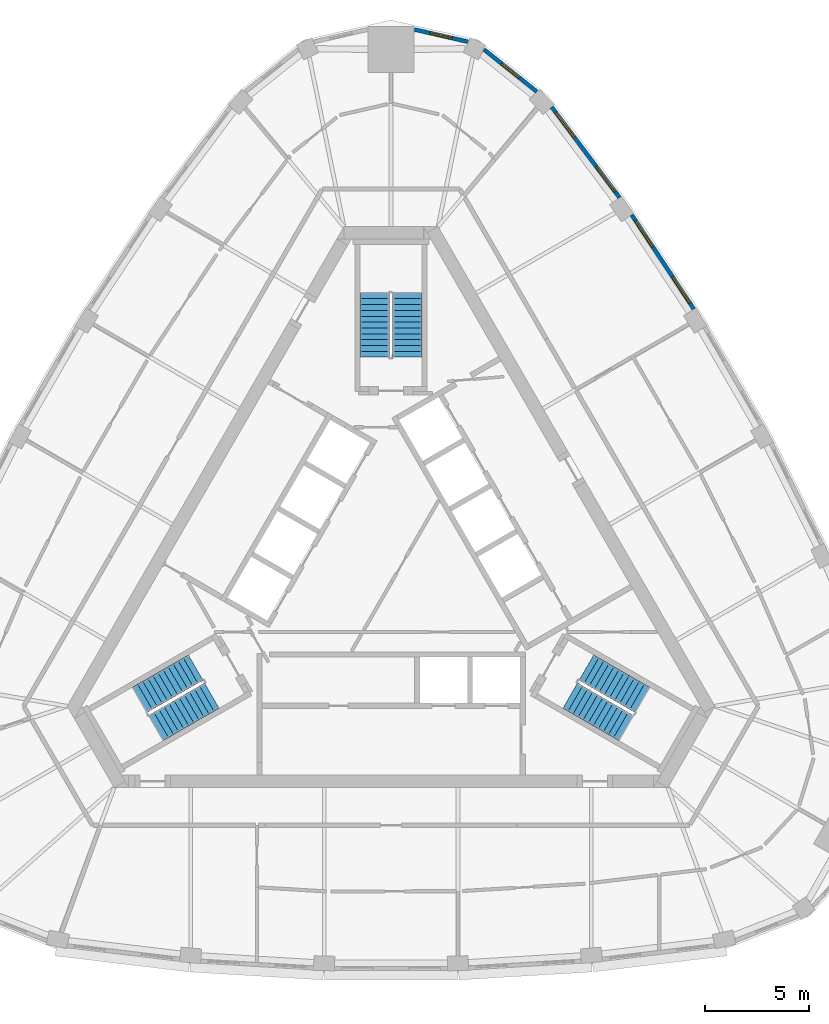
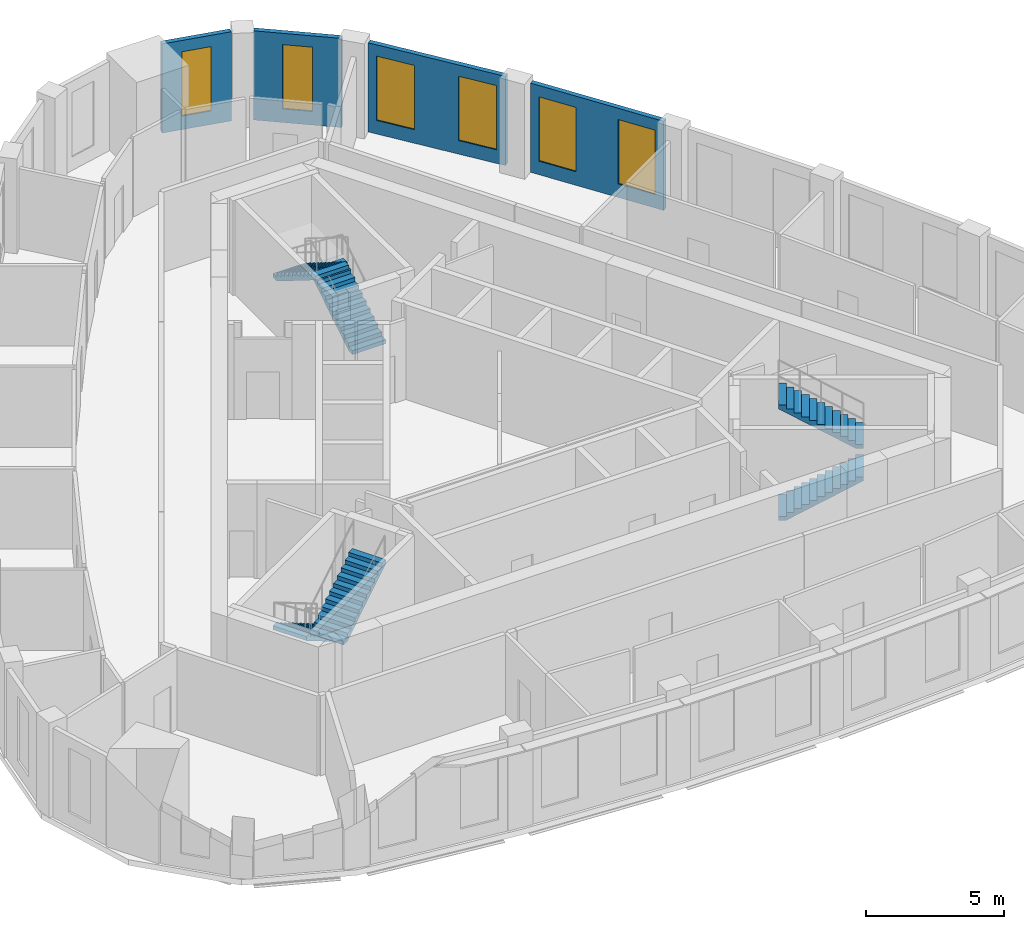
# One storey, part 9 of 10: 6 stair flights, 6 windows, 4 walls, 6 openings, 3 elements without a shape of their own.
"""IFC4 building model written with IfcOpenShell, lengths in metres."""

from ifc_helpers import new_model, si_unit, direction, frame, frame_2d, origin, place, context, subcontext, project, spatial, polyline, rectangle, outline, extrude, material, layer, layer_set, type_object, element, fill, aggregate, save


model = new_model("IFC4")

# Units and contexts
model_context = context("Model", 3, precision=1e-05, world=origin(), true_north=direction((0.0, 1.0)))
body_context = subcontext(model_context, "Body", "Model", "MODEL_VIEW")
ifc_project = project(units=[si_unit("LENGTHUNIT", "METRE"), si_unit("AREAUNIT", "SQUARE_METRE"), si_unit("VOLUMEUNIT", "CUBIC_METRE"), si_unit("PLANEANGLEUNIT", "RADIAN"), si_unit("MASSUNIT", "GRAM", prefix="KILO")], contexts=[model_context])

# Site, building, storey
site_placement = place(None, origin())
site = spatial("IfcSite", under=ifc_project, at=site_placement, CompositionType="ELEMENT")
building_placement = place(site_placement, origin())
building = spatial("IfcBuilding", under=site, at=building_placement, Name="Mestral Congress Tower", CompositionType="ELEMENT")
storey_placement = place(building_placement, frame((0.0, 0.0, 283.800048828125)))
storey = spatial("IfcBuildingStorey", under=building, at=storey_placement, Name="L66", CompositionType="ELEMENT", Elevation=283.800048828125)

# Wall, openings, windows
ifc_material_1 = material(Name="Precast concrete C40/50 with limestone facing", Category="masonry")
ifc_layer = layer(ifc_material_1, 0.18994140625)
ifc_layer_set = layer_set([ifc_layer], Name="Precast concrete C40/50 with limestone facing")
wall_type = type_object("IfcWallType", Name="Facade stone wall 190", PredefinedType="SOLIDWALL", material=ifc_layer_set)
wall_1_placement = place(storey_placement, frame((14.49560546875, 12.6533203125, 0.0), z_axis=(0.0, 0.0, 1.0), x_axis=(-0.550744054781, 0.83467417962, 0.0)))
wall_1 = element("IfcWall", 1, at=wall_1_placement, inside=storey, type_object=wall_type, Name="Facade wall F1-03", PredefinedType="SOLIDWALL", context=body_context, shape_type="SweptSolid", body=[
    extrude(rectangle(XDim=5.406005859375, YDim=0.18994140625, at=frame_2d((2.703125, 0.0))), origin(), (0.0, 0.0, 1.0), 3.949951171875),
])
opening_1_placement = place(wall_1_placement, frame((0.346435546875, 0.0, 0.60009765625)))
opening_1 = element("IfcOpeningElement", 2, at=opening_1_placement, cuts=wall_1, Name="Opening W6", PredefinedType="OPENING", context=body_context, shape_type="SweptSolid", body=[
    extrude(rectangle(XDim=1.5, YDim=2.85009765625, at=frame_2d((0.75, 1.425048828125))), frame((0.0, 0.10498046875, 0.0), z_axis=(0.0, -1.0, 0.0), x_axis=(1.0, 0.0, 0.0)), (0.0, 0.0, 1.0), 0.2099609375),
])
opening_2_placement = place(wall_1_placement, frame((3.559326171875, 0.0, 0.60009765625)))
opening_2 = element("IfcOpeningElement", 3, at=opening_2_placement, cuts=wall_1, Name="Opening W6", PredefinedType="OPENING", context=body_context, shape_type="SweptSolid", body=[
    extrude(rectangle(XDim=1.5, YDim=2.85009765625, at=frame_2d((0.75, 1.425048828125))), frame((0.0, 0.10498046875, 0.0), z_axis=(0.0, -1.0, 0.0), x_axis=(1.0, 0.0, 0.0)), (0.0, 0.0, 1.0), 0.2099609375),
])
ifc_material_2 = material(Name="Clear low-emissivity double glazing", Category="glass")
window_type_1 = type_object("IfcWindowType", Name="Facade punched window 1500 x 2850 sill 600", PartitioningType="SINGLE_PANEL", PredefinedType="WINDOW", material=ifc_material_2)
window_1_placement = place(opening_1_placement, origin())
window_1 = element("IfcWindow", 4, at=window_1_placement, inside=storey, type_object=window_type_1, Name="Window F1-03a", OverallHeight=2.85009765625, OverallWidth=1.5, PartitioningType="SINGLE_PANEL", PredefinedType="WINDOW", context=body_context, shape_type="SweptSolid", body=[
    extrude(rectangle(XDim=1.5, YDim=2.85009765625, at=frame_2d((0.75, 1.425048828125))), frame((0.0, 0.044921875, 0.0), z_axis=(0.0, -1.0, 0.0), x_axis=(1.0, 0.0, 0.0)), (0.0, 0.0, 1.0), 0.06005859375),
])
fill(opening_1, window_1)
window_2_placement = place(opening_2_placement, origin())
window_2 = element("IfcWindow", 5, at=window_2_placement, inside=storey, type_object=window_type_1, Name="Window F1-03b", OverallHeight=2.85009765625, OverallWidth=1.5, PartitioningType="SINGLE_PANEL", PredefinedType="WINDOW", context=body_context, shape_type="SweptSolid", body=[
    extrude(rectangle(XDim=1.5, YDim=2.85009765625, at=frame_2d((0.75, 1.425048828125))), frame((0.0, 0.044921875, 0.0), z_axis=(0.0, -1.0, 0.0), x_axis=(1.0, 0.0, 0.0)), (0.0, 0.0, 1.0), 0.06005859375),
])
fill(opening_2, window_2)

wall_2_placement = place(storey_placement, frame((10.938232421875, 17.989990234375, 0.0), z_axis=(0.0, 0.0, 1.0), x_axis=(-0.599559865294, 0.800329911929, 0.0)))
wall_2 = element("IfcWall", 6, at=wall_2_placement, inside=storey, type_object=wall_type, Name="Facade wall F1-04", PredefinedType="SOLIDWALL", context=body_context, shape_type="SweptSolid", body=[
    extrude(rectangle(XDim=5.4150390625, YDim=0.18994140625, at=frame_2d((2.70751953125, 0.0))), origin(), (0.0, 0.0, 1.0), 3.949951171875),
])
opening_3_placement = place(wall_2_placement, frame((0.357666015625, 0.0, 0.60009765625)))
opening_3 = element("IfcOpeningElement", 7, at=opening_3_placement, cuts=wall_2, Name="Opening W6", PredefinedType="OPENING", context=body_context, shape_type="SweptSolid", body=[
    extrude(rectangle(XDim=1.5, YDim=2.85009765625, at=frame_2d((0.75, 1.425048828125))), frame((0.0, 0.10498046875, 0.0), z_axis=(0.0, -1.0, 0.0), x_axis=(1.0, 0.0, 0.0)), (0.0, 0.0, 1.0), 0.2099609375),
])
opening_4_placement = place(wall_2_placement, frame((3.592529296875, 0.0, 0.60009765625)))
opening_4 = element("IfcOpeningElement", 8, at=opening_4_placement, cuts=wall_2, Name="Opening W6", PredefinedType="OPENING", context=body_context, shape_type="SweptSolid", body=[
    extrude(rectangle(XDim=1.5, YDim=2.85009765625, at=frame_2d((0.75, 1.425048828125))), frame((0.0, 0.10498046875, 0.0), z_axis=(0.0, -1.0, 0.0), x_axis=(1.0, 0.0, 0.0)), (0.0, 0.0, 1.0), 0.2099609375),
])
window_3_placement = place(opening_3_placement, origin())
window_3 = element("IfcWindow", 9, at=window_3_placement, inside=storey, type_object=window_type_1, Name="Window F1-04a", OverallHeight=2.85009765625, OverallWidth=1.5, PartitioningType="SINGLE_PANEL", PredefinedType="WINDOW", context=body_context, shape_type="SweptSolid", body=[
    extrude(rectangle(XDim=1.5, YDim=2.85009765625, at=frame_2d((0.75, 1.425048828125))), frame((0.0, 0.044921875, 0.0), z_axis=(0.0, -1.0, 0.0), x_axis=(1.0, 0.0, 0.0)), (0.0, 0.0, 1.0), 0.06005859375),
])
fill(opening_3, window_3)
window_4_placement = place(opening_4_placement, origin())
window_4 = element("IfcWindow", 10, at=window_4_placement, inside=storey, type_object=window_type_1, Name="Window F1-04b", OverallHeight=2.85009765625, OverallWidth=1.5, PartitioningType="SINGLE_PANEL", PredefinedType="WINDOW", context=body_context, shape_type="SweptSolid", body=[
    extrude(rectangle(XDim=1.5, YDim=2.85009765625, at=frame_2d((0.75, 1.425048828125))), frame((0.0, 0.044921875, 0.0), z_axis=(0.0, -1.0, 0.0), x_axis=(1.0, 0.0, 0.0)), (0.0, 0.0, 1.0), 0.06005859375),
])
fill(opening_4, window_4)

# Wall, opening, window
wall_3_placement = place(storey_placement, frame((6.977294921875, 23.061279296875, 0.0), z_axis=(0.0, 0.0, 1.0), x_axis=(-0.781626234064, 0.623747088349, 0.0)))
wall_3 = element("IfcWall", 11, at=wall_3_placement, inside=storey, type_object=wall_type, Name="Facade wall K1-0", PredefinedType="SOLIDWALL", context=body_context, shape_type="SweptSolid", body=[
    extrude(rectangle(XDim=3.236572265625, YDim=0.18994140625, at=frame_2d((1.6181640625, 0.0))), origin(), (0.0, 0.0, 1.0), 3.949951171875),
])
opening_5_placement = place(wall_3_placement, frame((1.068359375, 0.0, 0.60009765625)))
opening_5 = element("IfcOpeningElement", 12, at=opening_5_placement, cuts=wall_3, Name="Opening W7", PredefinedType="OPENING", context=body_context, shape_type="SweptSolid", body=[
    extrude(rectangle(XDim=1.10009765625, YDim=2.85009765625, at=frame_2d((0.550048828125, 1.425048828125))), frame((0.0, 0.10498046875, 0.0), z_axis=(0.0, -1.0, 0.0), x_axis=(1.0, 0.0, 0.0)), (0.0, 0.0, 1.0), 0.2099609375),
])
window_type_2 = type_object("IfcWindowType", Name="Facade punched window 1100 x 2850 sill 600", PartitioningType="SINGLE_PANEL", PredefinedType="WINDOW", material=ifc_material_2)
window_5_placement = place(opening_5_placement, origin())
window_5 = element("IfcWindow", 13, at=window_5_placement, inside=storey, type_object=window_type_2, Name="Window K1-0", OverallHeight=2.85009765625, OverallWidth=1.10009765625, PartitioningType="SINGLE_PANEL", PredefinedType="WINDOW", context=body_context, shape_type="SweptSolid", body=[
    extrude(rectangle(XDim=1.10009765625, YDim=2.85009765625, at=frame_2d((0.550048828125, 1.425048828125))), frame((0.0, 0.044921875, 0.0), z_axis=(0.0, -1.0, 0.0), x_axis=(1.0, 0.0, 0.0)), (0.0, 0.0, 1.0), 0.06005859375),
])
fill(opening_5, window_5)

wall_4_placement = place(storey_placement, frame((3.6826171875, 25.44873046875, 0.0), z_axis=(0.0, 0.0, 1.0), x_axis=(-0.974913273386, 0.222585060988, 0.0)))
wall_4 = element("IfcWall", 14, at=wall_4_placement, inside=storey, type_object=wall_type, Name="Facade wall K1-1", PredefinedType="SOLIDWALL", context=body_context, shape_type="SweptSolid", body=[
    extrude(rectangle(XDim=2.626953125, YDim=0.18994140625, at=frame_2d((1.3134765625, 0.0))), origin(), (0.0, 0.0, 1.0), 3.949951171875),
])
opening_6_placement = place(wall_4_placement, frame((0.763427734375, 0.0, 0.60009765625)))
opening_6 = element("IfcOpeningElement", 15, at=opening_6_placement, cuts=wall_4, Name="Opening W7", PredefinedType="OPENING", context=body_context, shape_type="SweptSolid", body=[
    extrude(rectangle(XDim=1.10009765625, YDim=2.85009765625, at=frame_2d((0.550048828125, 1.425048828125))), frame((0.0, 0.10498046875, 0.0), z_axis=(0.0, -1.0, 0.0), x_axis=(1.0, 0.0, 0.0)), (0.0, 0.0, 1.0), 0.2099609375),
])
window_6_placement = place(opening_6_placement, origin())
window_6 = element("IfcWindow", 16, at=window_6_placement, inside=storey, type_object=window_type_2, Name="Window K1-1", OverallHeight=2.85009765625, OverallWidth=1.10009765625, PartitioningType="SINGLE_PANEL", PredefinedType="WINDOW", context=body_context, shape_type="SweptSolid", body=[
    extrude(rectangle(XDim=1.10009765625, YDim=2.85009765625, at=frame_2d((0.550048828125, 1.425048828125))), frame((0.0, 0.044921875, 0.0), z_axis=(0.0, -1.0, 0.0), x_axis=(1.0, 0.0, 0.0)), (0.0, 0.0, 1.0), 0.06005859375),
])
fill(opening_6, window_6)

# Stair, stair flights
ifc_material_3 = material(Name="Concrete C60/75", Category="concrete")
stair_type = type_object("IfcStairType", Name="Exit stair 1400", PredefinedType="HALF_TURN_STAIR", material=ifc_material_3)
placement = place(storey_placement, origin())
stair_1 = element("IfcStair", 17, at=placement, inside=storey, type_object=stair_type, Name="L66 ST1", PredefinedType="HALF_TURN_STAIR")
stair_flight_type = type_object("IfcStairFlightType", Name="Exit stair flight 1400", PredefinedType="STRAIGHT", material=ifc_material_3)
stair_flight_1_placement = place(storey_placement, frame((8.575927734375, -5.84619140625, 0.0), z_axis=(0.0, 0.0, 1.0), x_axis=(0.866025403784, -0.5, 0.0)))
stair_flight_1 = element("IfcStairFlight", 18, at=stair_flight_1_placement, type_object=stair_flight_type, Name="ST1 flight 1", NumberOfRisers=12, NumberOfTreads=11, PredefinedType="STRAIGHT", RiserHeight=0.175, TreadLength=0.28, context=body_context, shape_type="SweptSolid", body=[
    extrude(outline(polyline([(0.0, 0.0), (0.0, 0.175048828125), (0.280029296875, 0.175048828125), (0.280029296875, 0.35009765625), (0.56005859375, 0.35009765625), (0.56005859375, 0.52490234375), (0.840087890625, 0.52490234375), (0.840087890625, 0.699951171875), (1.1201171875, 0.699951171875), (1.1201171875, 0.875), (1.39990234375, 0.875), (1.39990234375, 1.050048828125), (1.679931640625, 1.050048828125), (1.679931640625, 1.22509765625), (1.9599609375, 1.22509765625), (1.9599609375, 1.39990234375), (2.239990234375, 1.39990234375), (2.239990234375, 1.574951171875), (2.52001953125, 1.574951171875), (2.52001953125, 1.75), (2.800048828125, 1.75), (2.800048828125, 1.925048828125), (3.080078125, 1.925048828125), (3.080078125, 2.10009765625), (3.080078125, 1.748291015625), (0.28271484375, 0.0), (0.0, 0.0)])), frame((0.0, 0.699951171875, 0.0), z_axis=(0.0, -1.0, 0.0), x_axis=(1.0, 0.0, 0.0)), (0.0, 0.0, 1.0), 1.39990234375),
])
stair_flight_2_placement = place(storey_placement, frame((12.018310546875, -6.0439453125, 2.099853515625), z_axis=(0.0, 0.0, 1.0), x_axis=(-0.866025403784, 0.5, 0.0)))
stair_flight_2 = element("IfcStairFlight", 19, at=stair_flight_2_placement, type_object=stair_flight_type, Name="ST1 flight 2", NumberOfRisers=12, NumberOfTreads=11, PredefinedType="STRAIGHT", RiserHeight=0.175, TreadLength=0.28, context=body_context, shape_type="SweptSolid", body=[
    extrude(outline(polyline([(0.0, 0.0), (0.0, 0.175048828125), (0.280029296875, 0.175048828125), (0.280029296875, 0.35009765625), (0.56005859375, 0.35009765625), (0.56005859375, 0.52490234375), (0.840087890625, 0.52490234375), (0.840087890625, 0.699951171875), (1.1201171875, 0.699951171875), (1.1201171875, 0.875), (1.39990234375, 0.875), (1.39990234375, 1.050048828125), (1.679931640625, 1.050048828125), (1.679931640625, 1.22509765625), (1.9599609375, 1.22509765625), (1.9599609375, 1.39990234375), (2.239990234375, 1.39990234375), (2.239990234375, 1.574951171875), (2.52001953125, 1.574951171875), (2.52001953125, 1.75), (2.800048828125, 1.75), (2.800048828125, 1.925048828125), (3.080078125, 1.925048828125), (3.080078125, 2.10009765625), (3.080078125, 1.748291015625), (0.28271484375, 0.0), (0.0, 0.0)])), frame((0.0, 0.699951171875, 0.0), z_axis=(0.0, -1.0, 0.0), x_axis=(1.0, 0.0, 0.0)), (0.0, 0.0, 1.0), 1.39990234375),
])
aggregate(stair_1, [stair_flight_1, stair_flight_2])

stair_2 = element("IfcStair", 20, at=placement, inside=storey, type_object=stair_type, Name="L66 ST2", PredefinedType="HALF_TURN_STAIR")
stair_flight_3_placement = place(storey_placement, frame((0.77490234375, 10.35009765625, 0.0), z_axis=(0.0, 0.0, 1.0), x_axis=(0.0, 1.0, 0.0)))
stair_flight_3 = element("IfcStairFlight", 21, at=stair_flight_3_placement, type_object=stair_flight_type, Name="ST2 flight 1", NumberOfRisers=12, NumberOfTreads=11, PredefinedType="STRAIGHT", RiserHeight=0.175, TreadLength=0.28, context=body_context, shape_type="SweptSolid", body=[
    extrude(outline(polyline([(0.0, 0.0), (0.0, 0.175048828125), (0.280029296875, 0.175048828125), (0.280029296875, 0.35009765625), (0.56005859375, 0.35009765625), (0.56005859375, 0.52490234375), (0.840087890625, 0.52490234375), (0.840087890625, 0.699951171875), (1.1201171875, 0.699951171875), (1.1201171875, 0.875), (1.39990234375, 0.875), (1.39990234375, 1.050048828125), (1.679931640625, 1.050048828125), (1.679931640625, 1.22509765625), (1.9599609375, 1.22509765625), (1.9599609375, 1.39990234375), (2.239990234375, 1.39990234375), (2.239990234375, 1.574951171875), (2.52001953125, 1.574951171875), (2.52001953125, 1.75), (2.800048828125, 1.75), (2.800048828125, 1.925048828125), (3.080078125, 1.925048828125), (3.080078125, 2.10009765625), (3.080078125, 1.748291015625), (0.28271484375, 0.0), (0.0, 0.0)])), frame((0.0, 0.699951171875, 0.0), z_axis=(0.0, -1.0, 0.0), x_axis=(1.0, 0.0, 0.0)), (0.0, 0.0, 1.0), 1.39990234375),
])
stair_flight_4_placement = place(storey_placement, frame((-0.77490234375, 13.429931640625, 2.099853515625), z_axis=(0.0, 0.0, 1.0), x_axis=(0.0, -1.0, 0.0)))
stair_flight_4 = element("IfcStairFlight", 22, at=stair_flight_4_placement, type_object=stair_flight_type, Name="ST2 flight 2", NumberOfRisers=12, NumberOfTreads=11, PredefinedType="STRAIGHT", RiserHeight=0.175, TreadLength=0.28, context=body_context, shape_type="SweptSolid", body=[
    extrude(outline(polyline([(0.0, 0.0), (0.0, 0.175048828125), (0.280029296875, 0.175048828125), (0.280029296875, 0.35009765625), (0.56005859375, 0.35009765625), (0.56005859375, 0.52490234375), (0.840087890625, 0.52490234375), (0.840087890625, 0.699951171875), (1.1201171875, 0.699951171875), (1.1201171875, 0.875), (1.39990234375, 0.875), (1.39990234375, 1.050048828125), (1.679931640625, 1.050048828125), (1.679931640625, 1.22509765625), (1.9599609375, 1.22509765625), (1.9599609375, 1.39990234375), (2.239990234375, 1.39990234375), (2.239990234375, 1.574951171875), (2.52001953125, 1.574951171875), (2.52001953125, 1.75), (2.800048828125, 1.75), (2.800048828125, 1.925048828125), (3.080078125, 1.925048828125), (3.080078125, 2.10009765625), (3.080078125, 1.748291015625), (0.28271484375, 0.0), (0.0, 0.0)])), frame((0.0, 0.699951171875, 0.0), z_axis=(0.0, -1.0, 0.0), x_axis=(1.0, 0.0, 0.0)), (0.0, 0.0, 1.0), 1.39990234375),
])
aggregate(stair_2, [stair_flight_3, stair_flight_4])

stair_3 = element("IfcStair", 23, at=placement, inside=storey, type_object=stair_type, Name="L66 ST3", PredefinedType="HALF_TURN_STAIR")
stair_flight_5_placement = place(storey_placement, frame((-9.350830078125, -4.50390625, 0.0), z_axis=(0.0, 0.0, 1.0), x_axis=(-0.866025403784, -0.5, 0.0)))
stair_flight_5 = element("IfcStairFlight", 24, at=stair_flight_5_placement, type_object=stair_flight_type, Name="ST3 flight 1", NumberOfRisers=12, NumberOfTreads=11, PredefinedType="STRAIGHT", RiserHeight=0.175, TreadLength=0.28, context=body_context, shape_type="SweptSolid", body=[
    extrude(outline(polyline([(0.0, 0.0), (0.0, 0.175048828125), (0.280029296875, 0.175048828125), (0.280029296875, 0.35009765625), (0.56005859375, 0.35009765625), (0.56005859375, 0.52490234375), (0.840087890625, 0.52490234375), (0.840087890625, 0.699951171875), (1.1201171875, 0.699951171875), (1.1201171875, 0.875), (1.39990234375, 0.875), (1.39990234375, 1.050048828125), (1.679931640625, 1.050048828125), (1.679931640625, 1.22509765625), (1.9599609375, 1.22509765625), (1.9599609375, 1.39990234375), (2.239990234375, 1.39990234375), (2.239990234375, 1.574951171875), (2.52001953125, 1.574951171875), (2.52001953125, 1.75), (2.800048828125, 1.75), (2.800048828125, 1.925048828125), (3.080078125, 1.925048828125), (3.080078125, 2.10009765625), (3.080078125, 1.748291015625), (0.28271484375, 0.0), (0.0, 0.0)])), frame((0.0, 0.699951171875, 0.0), z_axis=(0.0, -1.0, 0.0), x_axis=(1.0, 0.0, 0.0)), (0.0, 0.0, 1.0), 1.39990234375),
])
stair_flight_6_placement = place(storey_placement, frame((-11.2431640625, -7.38623046875, 2.099853515625), z_axis=(0.0, 0.0, 1.0), x_axis=(0.866025403784, 0.5, 0.0)))
stair_flight_6 = element("IfcStairFlight", 25, at=stair_flight_6_placement, type_object=stair_flight_type, Name="ST3 flight 2", NumberOfRisers=12, NumberOfTreads=11, PredefinedType="STRAIGHT", RiserHeight=0.175, TreadLength=0.28, context=body_context, shape_type="SweptSolid", body=[
    extrude(outline(polyline([(0.0, 0.0), (0.0, 0.175048828125), (0.280029296875, 0.175048828125), (0.280029296875, 0.35009765625), (0.56005859375, 0.35009765625), (0.56005859375, 0.52490234375), (0.840087890625, 0.52490234375), (0.840087890625, 0.699951171875), (1.1201171875, 0.699951171875), (1.1201171875, 0.875), (1.39990234375, 0.875), (1.39990234375, 1.050048828125), (1.679931640625, 1.050048828125), (1.679931640625, 1.22509765625), (1.9599609375, 1.22509765625), (1.9599609375, 1.39990234375), (2.239990234375, 1.39990234375), (2.239990234375, 1.574951171875), (2.52001953125, 1.574951171875), (2.52001953125, 1.75), (2.800048828125, 1.75), (2.800048828125, 1.925048828125), (3.080078125, 1.925048828125), (3.080078125, 2.10009765625), (3.080078125, 1.748291015625), (0.28271484375, 0.0), (0.0, 0.0)])), frame((0.0, 0.699951171875, 0.0), z_axis=(0.0, -1.0, 0.0), x_axis=(1.0, 0.0, 0.0)), (0.0, 0.0, 1.0), 1.39990234375),
])
aggregate(stair_3, [stair_flight_5, stair_flight_6])

save(model, "model.ifc")
